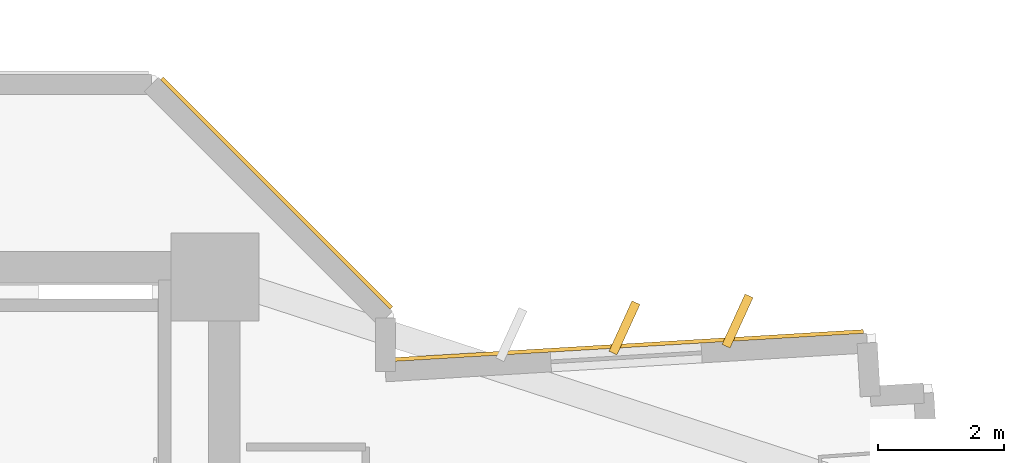
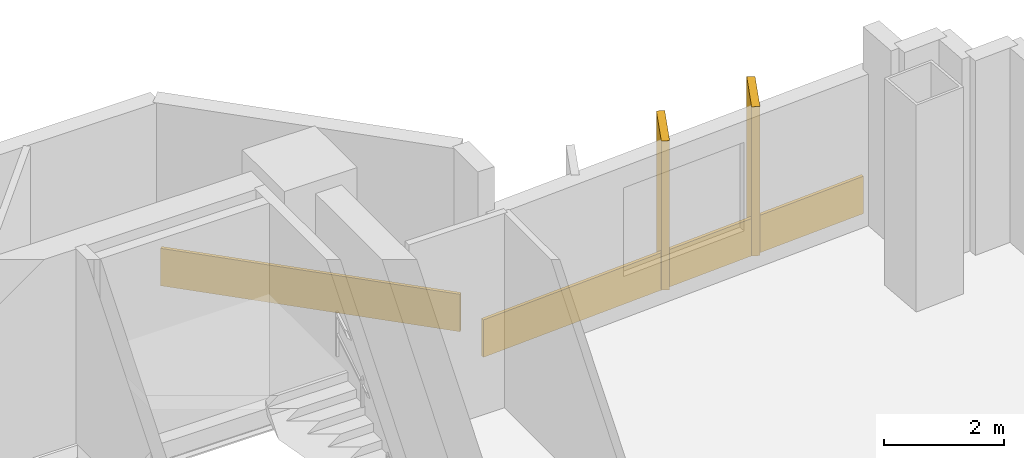
# One storey, part 15 of 15: 4 coverings.
"""IFC4 building model written with IfcOpenShell, lengths in metres."""

from ifc_helpers import new_model, si_unit, direction, frame, origin, origin_2d, place, context, subcontext, project, spatial, rectangle, extrude, source, transform, mapped, material, layer, layer_set, type_object, element, save


model = new_model("IFC4")

# Units and contexts
model_context = context("Model", 3, precision=1e-05, world=origin(), true_north=direction((0.0, 1.0)))
body_context = subcontext(model_context, "Body", "Model", "MODEL_VIEW")
ifc_project = project(units=[si_unit("LENGTHUNIT", "METRE"), si_unit("AREAUNIT", "SQUARE_METRE"), si_unit("VOLUMEUNIT", "CUBIC_METRE"), si_unit("PLANEANGLEUNIT", "RADIAN"), si_unit("MASSUNIT", "GRAM", prefix="KILO")], contexts=[model_context])

# Site, building, storey
site_placement = place(None, origin())
site = spatial("IfcSite", under=ifc_project, at=site_placement, CompositionType="ELEMENT")
building_placement = place(site_placement, origin())
building = spatial("IfcBuilding", under=site, at=building_placement, Name="Zahravan Cultural Tower", CompositionType="ELEMENT")
storey_placement = place(building_placement, frame((0.0, 0.0, 66.89990234375)))
storey = spatial("IfcBuildingStorey", under=building, at=storey_placement, Name="L14", CompositionType="ELEMENT", Elevation=66.89990234375)

# Coverings
ifc_material = material(Name="Terracotta ceramic cladding", Category="masonry")
ifc_layer = layer(ifc_material, 0.06005859375)
ifc_layer_set = layer_set([ifc_layer], Name="Terracotta ceramic cladding")
covering_type = type_object("IfcCoveringType", Name="COV-CLAD-TC60", PredefinedType="CLADDING", material=ifc_layer_set)
shared_shape_1 = source(origin(), body_context, "Body", "SweptSolid", [
    extrude(rectangle(XDim=5.157958984375, YDim=0.06005859375, at=origin_2d()), origin(), (0.0, 0.0, 1.0), 0.760009765625),
])
covering_1_placement = place(storey_placement, frame((51.331787109375, 37.53173828125, 0.02001953125), z_axis=(0.0, 0.0, 1.0), x_axis=(0.707106781187, -0.707106781187, 0.0)))
element("IfcCovering", 1, at=covering_1_placement, inside=storey, type_object=covering_type, Name="L14 Terracotta Spandrel Cladding 53", PredefinedType="CLADDING", context=body_context, shape_type="MappedRepresentation", body=[
    mapped(shared_shape_1, transform((0.0, 0.0, 0.0), x_axis=(1.0, 0.0, 0.0), y_axis=(0.0, 1.0, 0.0), z_axis=(0.0, 0.0, 1.0), scale=1.0)),
])
shared_shape_2 = source(origin(), body_context, "Body", "SweptSolid", [
    extrude(rectangle(XDim=0.8798828125, YDim=0.139892578125, at=origin_2d()), origin(), (0.0, 0.0, 1.0), 3.030029296875),
])
for number, where, z_axis, x_axis, name in (
    (2, (56.86083984375, 35.389404296875, 0.05029296875), (0.0, 0.0, 1.0), (0.41596338363, 0.909381363059, 0.0), "L14 Herringbone Terracotta Fin 02"),
    (3, (58.65771484375, 35.496826171875, 0.05029296875), (0.0, 0.0, 1.0), (0.41596338363, 0.909381363059, 0.0), "L14 Herringbone Terracotta Fin 03"),
):
    element("IfcCovering", number, at=place(storey_placement, frame(where, z_axis=z_axis, x_axis=x_axis)), inside=storey, type_object=covering_type, Name=name, PredefinedType="CLADDING", context=body_context, shape_type="MappedRepresentation", body=[
        mapped(shared_shape_2, transform((0.0, 0.0, 0.0), x_axis=(1.0, 0.0, 0.0), y_axis=(0.0, 1.0, 0.0), z_axis=(0.0, 0.0, 1.0), scale=1.0)),
    ])
shared_shape_3 = source(origin(), body_context, "Body", "SweptSolid", [
    extrude(rectangle(XDim=7.571533203125, YDim=0.06005859375, at=origin_2d()), origin(), (0.0, 0.0, 1.0), 0.760009765625),
])
covering_2_placement = place(storey_placement, frame((56.8779296875, 35.10498046875, 0.02001953125), z_axis=(0.0, 0.0, 1.0), x_axis=(0.998219065278, 0.05965482139, 0.0)))
element("IfcCovering", 4, at=covering_2_placement, inside=storey, type_object=covering_type, Name="L14 Terracotta Spandrel Cladding 01", PredefinedType="CLADDING", context=body_context, shape_type="MappedRepresentation", body=[
    mapped(shared_shape_3, transform((0.0, 0.0, 0.0), x_axis=(1.0, 0.0, 0.0), y_axis=(0.0, 1.0, 0.0), z_axis=(0.0, 0.0, 1.0), scale=1.0)),
])

save(model, "model.ifc")
